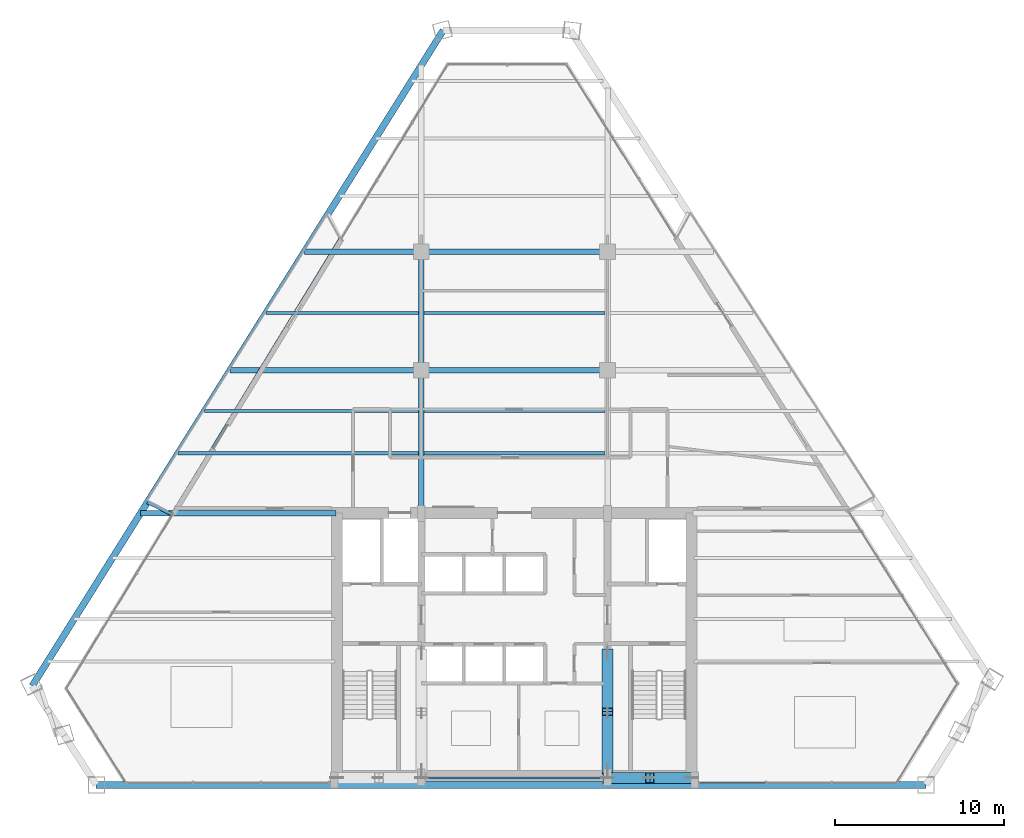
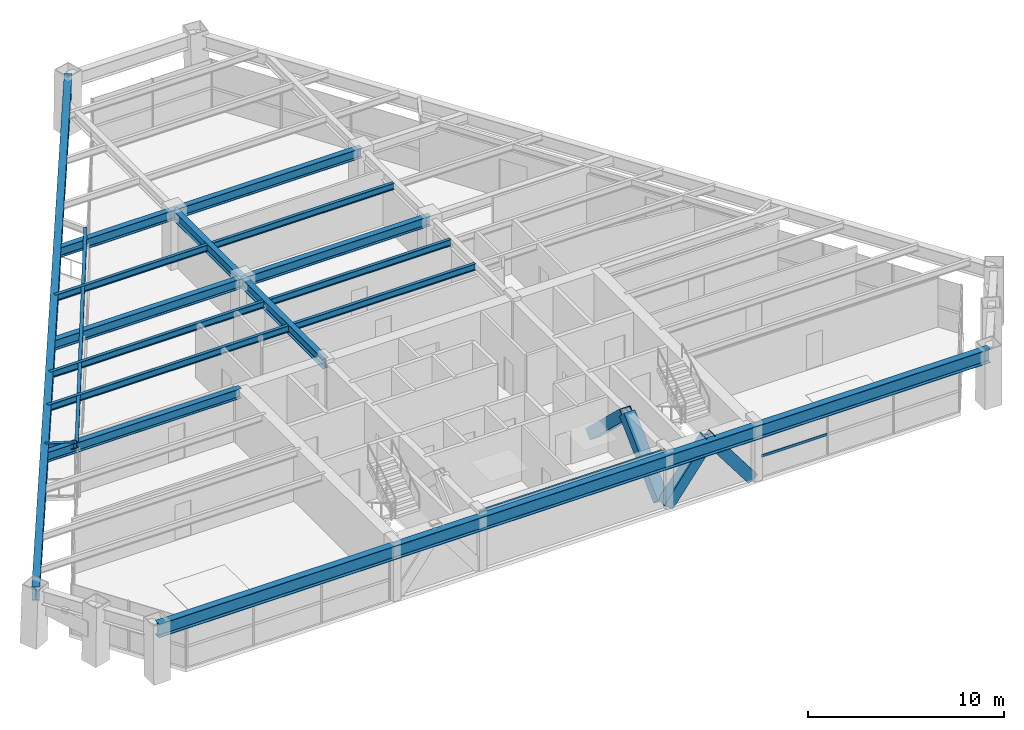
# One storey, part 3 of 13: 18 beams, 5 members, 1 element without a shape of its own.
"""IFC4 building model written with IfcOpenShell, lengths in metres."""

from ifc_helpers import new_model, si_unit, direction, frame, origin, origin_2d, place, context, subcontext, project, spatial, rectangle, hollow_rectangle, i_section, extrude, source, transform, mapped, material, material_profile, profile_set, type_object, type_shapes, element, aggregate, save


model = new_model("IFC4")

# Units and contexts
model_context = context("Model", 3, precision=1e-05, world=origin(), true_north=direction((0.0, 1.0)))
body_context = subcontext(model_context, "Body", "Model", "MODEL_VIEW")
ifc_project = project(units=[si_unit("LENGTHUNIT", "METRE"), si_unit("AREAUNIT", "SQUARE_METRE"), si_unit("VOLUMEUNIT", "CUBIC_METRE"), si_unit("PLANEANGLEUNIT", "RADIAN"), si_unit("MASSUNIT", "GRAM", prefix="KILO")], contexts=[model_context])

# Site, building, storey
site_placement = place(None, origin())
site = spatial("IfcSite", under=ifc_project, at=site_placement, CompositionType="ELEMENT")
building_placement = place(site_placement, origin())
building = spatial("IfcBuilding", under=site, at=building_placement, Name="Varnakhor Terracotta Tower", CompositionType="ELEMENT")
storey_placement = place(building_placement, frame((0.0, 0.0, 200.60009765625)))
storey = spatial("IfcBuildingStorey", under=building, at=storey_placement, Name="L51", CompositionType="ELEMENT", Elevation=200.60009765625)

# Beams
ifc_material_1 = material(Name="Steel S355", Category="steel")
ifc_material_profile_1 = material_profile(ifc_material_1, i_section(OverallWidth=0.1201171875, OverallDepth=0.239990234375, WebThickness=0.006103515625, FlangeThickness=0.009765625, FilletRadius=0.01806640625, at=origin_2d()), Name="IPE240")
ifc_profile_set_1 = profile_set([ifc_material_profile_1], Name="Steel S355")
beam_type_1 = type_object("IfcBeamType", Name="LNT-IPE240", PredefinedType="LINTEL", material=ifc_profile_set_1)
shared_shape_1 = source(origin(), body_context, "Body", "SweptSolid", [
    extrude(i_section(OverallWidth=0.1201171875, OverallDepth=0.239990234375, WebThickness=0.006103515625, FlangeThickness=0.009765625, FilletRadius=0.01806640625, at=origin_2d()), origin(), (0.0, 0.0, 1.0), 11.0),
])
type_shapes(beam_type_1, [shared_shape_1])
beam_1_placement = place(storey_placement, frame((-5.5, 0.419921875, 3.349853515625), z_axis=(1.0, 0.0, 0.0), x_axis=(0.0, 1.0, 0.0)))
element("IfcBeam", 1, at=beam_1_placement, inside=storey, type_object=beam_type_1, Name="L51 Core South Coupling Lintel", PredefinedType="LINTEL", context=body_context, shape_type="MappedRepresentation", body=[
    mapped(shared_shape_1, transform((0.0, 0.0, 0.0), scale=1.0)),
])
ifc_material_profile_2 = material_profile(ifc_material_1, i_section(OverallWidth=0.324951171875, OverallDepth=0.615966796875, WebThickness=0.013916015625, FlangeThickness=0.02197265625, FilletRadius=0.01806640625, at=origin_2d()), Name="W24X117")
ifc_profile_set_2 = profile_set([ifc_material_profile_2], Name="Steel S355")
beam_type_2 = type_object("IfcBeamType", Name="BM-W24X117", PredefinedType="BEAM", material=ifc_profile_set_2)
shared_shape_2 = source(origin(), body_context, "Body", "SweptSolid", [
    extrude(i_section(OverallWidth=0.324951171875, OverallDepth=0.615966796875, WebThickness=0.013916015625, FlangeThickness=0.02197265625, FilletRadius=0.01806640625, at=origin_2d()), origin(), (0.0, 0.0, 1.0), 8.449951171875),
])
type_shapes(beam_type_2, [shared_shape_2])
beam_2_placement = place(storey_placement, frame((-5.5, 16.050048828125, 3.161865234375), z_axis=(0.0, 1.0, 0.0), x_axis=(-1.0, 0.0, 0.0)))
element("IfcBeam", 2, at=beam_2_placement, inside=storey, type_object=beam_type_2, Name="L51 Primary Girder NS1-W", PredefinedType="BEAM", context=body_context, shape_type="MappedRepresentation", body=[
    mapped(shared_shape_2, transform((0.0, 0.0, 0.0), scale=1.0)),
])
shared_shape_3 = source(origin(), body_context, "Body", "SweptSolid", [
    extrude(i_section(OverallWidth=0.324951171875, OverallDepth=0.615966796875, WebThickness=0.013916015625, FlangeThickness=0.02197265625, FilletRadius=0.01806640625, at=origin_2d()), origin(), (0.0, 0.0, 1.0), 7.0),
])
beam_3_placement = place(storey_placement, frame((-5.5, 24.5, 3.161865234375), z_axis=(0.0, 1.0, 0.0), x_axis=(-1.0, 0.0, 0.0)))
element("IfcBeam", 3, at=beam_3_placement, inside=storey, type_object=beam_type_2, Name="L51 Primary Girder NS2-W", PredefinedType="BEAM", context=body_context, shape_type="MappedRepresentation", body=[
    mapped(shared_shape_3, transform((0.0, 0.0, 0.0), scale=1.0)),
])
shared_shape_4 = source(origin(), body_context, "Body", "SweptSolid", [
    extrude(i_section(OverallWidth=0.324951171875, OverallDepth=0.615966796875, WebThickness=0.013916015625, FlangeThickness=0.02197265625, FilletRadius=0.01806640625, at=origin_2d()), origin(), (0.0, 0.0, 1.0), 11.0),
])
for number, where, z_axis, x_axis, name in (
    (4, (-5.5, 24.5, 3.161865234375), (1.0, 0.0, 0.0), (0.0, 1.0, 0.0), "L51 Primary Girder EW2-2"),
    (5, (-5.5, 31.5, 3.161865234375), (1.0, 0.0, 0.0), (0.0, 1.0, 0.0), "L51 Primary Girder EW3-2"),
):
    element("IfcBeam", number, at=place(storey_placement, frame(where, z_axis=z_axis, x_axis=x_axis)), inside=storey, type_object=beam_type_2, Name=name, PredefinedType="BEAM", context=body_context, shape_type="MappedRepresentation", body=[
        mapped(shared_shape_4, transform((0.0, 0.0, 0.0), scale=1.0)),
    ])
ifc_material_profile_3 = material_profile(ifc_material_1, i_section(OverallWidth=0.179931640625, OverallDepth=0.4130859375, WebThickness=0.009765625, FlangeThickness=0.01611328125, FilletRadius=0.01806640625, at=origin_2d()), Name="W16X50")
ifc_profile_set_3 = profile_set([ifc_material_profile_3], Name="Steel S355")
beam_type_3 = type_object("IfcBeamType", Name="JST-W16X50", PredefinedType="JOIST", material=ifc_profile_set_3)
shared_shape_5 = source(origin(), body_context, "Body", "SweptSolid", [
    extrude(i_section(OverallWidth=0.179931640625, OverallDepth=0.4130859375, WebThickness=0.009765625, FlangeThickness=0.01611328125, FilletRadius=0.01806640625, at=origin_2d()), origin(), (0.0, 0.0, 1.0), 10.68310546875),
])
for number, where, z_axis, x_axis, name in (
    (6, (-5.341552734375, 19.60009765625, 3.263427734375), (1.0, 0.0, 0.0), (0.0, 1.0, 0.0), "L51 Composite Floor Joist 4-2"),
    (7, (-5.341552734375, 22.10009765625, 3.263427734375), (1.0, 0.0, 0.0), (0.0, 1.0, 0.0), "L51 Composite Floor Joist 5-2"),
    (8, (-5.341552734375, 27.89990234375, 3.263427734375), (1.0, 0.0, 0.0), (0.0, 1.0, 0.0), "L51 Composite Floor Joist 6-2"),
):
    element("IfcBeam", number, at=place(storey_placement, frame(where, z_axis=z_axis, x_axis=x_axis)), inside=storey, type_object=beam_type_3, Name=name, PredefinedType="JOIST", context=body_context, shape_type="MappedRepresentation", body=[
        mapped(shared_shape_5, transform((0.0, 0.0, 0.0), scale=1.0)),
    ])

# Members
ifc_material_2 = material(Name="Steel S460", Category="steel")
ifc_material_profile_4 = material_profile(ifc_material_2, hollow_rectangle(XDim=0.64990234375, YDim=0.64990234375, WallThickness=0.0400390625, at=origin_2d()), Name="HSS650X650X40")
ifc_profile_set_4 = profile_set([ifc_material_profile_4], Name="Steel S460")
member_type_1 = type_object("IfcMemberType", Name="MBR-MEGA-650", PredefinedType="BRACE", material=ifc_profile_set_4)
shared_shape_6 = source(origin(), body_context, "Body", "SweptSolid", [
    extrude(hollow_rectangle(XDim=0.64990234375, YDim=0.64990234375, WallThickness=0.0400390625, at=origin_2d()), origin(), (0.0, 0.0, 1.0), 4.15576171875),
])
for number, where, z_axis, x_axis, name in (
    (9, (5.5, 0.419921875, 0.0), (0.601559152872, 0.0, 0.798828257886), (0.0, 1.0, 0.0), "L51 Core Coupled Brace CSEA"),
    (10, (10.5, 0.419921875, 0.0), (-0.601559152872, 0.0, 0.798828257886), (0.0, -1.0, 0.0), "L51 Core Coupled Brace CSEB"),
):
    element("IfcMember", number, at=place(storey_placement, frame(where, z_axis=z_axis, x_axis=x_axis)), inside=storey, type_object=member_type_1, Name=name, PredefinedType="BRACE", context=body_context, shape_type="MappedRepresentation", body=[
        mapped(shared_shape_6, transform((0.0, 0.0, 0.0), scale=1.0)),
    ])
shared_shape_7 = source(origin(), body_context, "Body", "SweptSolid", [
    extrude(hollow_rectangle(XDim=0.64990234375, YDim=0.64990234375, WallThickness=0.0400390625, at=origin_2d()), origin(), (0.0, 0.0, 1.0), 4.805908203125),
])
for number, where, z_axis, x_axis, name in (
    (11, (5.5, 0.85009765625, 0.0), (0.0, 0.72305215055, 0.690793447845), (-1.0, 0.0, 0.0), "L51 Core Coupled Brace CWEA"),
    (12, (5.5, 7.800048828125, 0.0), (0.0, -0.723076391278, 0.690768074231), (1.0, 0.0, 0.0), "L51 Core Coupled Brace CWEB"),
):
    element("IfcMember", number, at=place(storey_placement, frame(where, z_axis=z_axis, x_axis=x_axis)), inside=storey, type_object=member_type_1, Name=name, PredefinedType="BRACE", context=body_context, shape_type="MappedRepresentation", body=[
        mapped(shared_shape_7, transform((0.0, 0.0, 0.0), scale=1.0)),
    ])

# Beams
ifc_material_profile_5 = material_profile(ifc_material_1, i_section(OverallWidth=0.39990234375, OverallDepth=0.85498046875, WebThickness=0.01806640625, FlangeThickness=0.029052734375, FilletRadius=0.01806640625, at=origin_2d()), Name="W33X201")
ifc_profile_set_5 = profile_set([ifc_material_profile_5], Name="Steel S355")
beam_type_4 = type_object("IfcBeamType", Name="BM-W33X201", PredefinedType="BEAM", material=ifc_profile_set_5)
shared_shape_8 = source(origin(), body_context, "Body", "SweptSolid", [
    extrude(i_section(OverallWidth=0.39990234375, OverallDepth=0.85498046875, WebThickness=0.01806640625, FlangeThickness=0.029052734375, FilletRadius=0.01806640625, at=origin_2d()), origin(), (0.0, 0.0, 1.0), 49.0439453125),
])
beam_4_placement = place(storey_placement, frame((-24.717529296875, 0.0, 3.04248046875), z_axis=(1.0, 0.0, 0.0), x_axis=(0.0, 1.0, 0.0)))
element("IfcBeam", 13, at=beam_4_placement, inside=storey, type_object=beam_type_4, Name="L51 Perimeter Spandrel 1", PredefinedType="BEAM", context=body_context, shape_type="MappedRepresentation", body=[
    mapped(shared_shape_8, transform((0.0, 0.0, 0.0), scale=1.0)),
])
shared_shape_9 = source(origin(), body_context, "Body", "SweptSolid", [
    extrude(i_section(OverallWidth=0.39990234375, OverallDepth=0.85498046875, WebThickness=0.01806640625, FlangeThickness=0.029052734375, FilletRadius=0.01806640625, at=origin_2d()), origin(), (0.0, 0.0, 1.0), 45.7353515625),
])
beam_5_placement = place(storey_placement, frame((-4.20947265625, 44.593994140625, 3.04248046875), z_axis=(-0.531116486136, -0.847298812789, 0.0), x_axis=(0.847298812789, -0.531116486136, 0.0)))
element("IfcBeam", 14, at=beam_5_placement, inside=storey, type_object=beam_type_4, Name="L51 Perimeter Spandrel 6", PredefinedType="BEAM", context=body_context, shape_type="MappedRepresentation", body=[
    mapped(shared_shape_9, transform((0.0, 0.0, 0.0), scale=1.0)),
])
ifc_material_profile_6 = material_profile(ifc_material_1, i_section(OverallWidth=0.179931640625, OverallDepth=0.39990234375, WebThickness=0.008544921875, FlangeThickness=0.013427734375, FilletRadius=0.01806640625, at=origin_2d()), Name="IPE400")
ifc_profile_set_6 = profile_set([ifc_material_profile_6], Name="Steel S355")
beam_type_5 = type_object("IfcBeamType", Name="JST-IPE400", PredefinedType="JOIST", material=ifc_profile_set_6)
shared_shape_10 = source(origin(), body_context, "Body", "SweptSolid", [
    extrude(i_section(OverallWidth=0.179931640625, OverallDepth=0.39990234375, WebThickness=0.008544921875, FlangeThickness=0.013427734375, FilletRadius=0.01806640625, at=origin_2d()), origin(), (0.0, 0.0, 1.0), 19.115234375),
])
beam_6_placement = place(storey_placement, frame((-10.281494140625, 32.306396484375, 3.27001953125), z_axis=(-0.520259714572, -0.854008096796, 0.0), x_axis=(0.854008096796, -0.520259714572, 0.0)))
element("IfcBeam", 15, at=beam_6_placement, inside=storey, type_object=beam_type_5, Name="L51 Loggia Edge Beam 2", PredefinedType="JOIST", context=body_context, shape_type="MappedRepresentation", body=[
    mapped(shared_shape_10, transform((0.0, 0.0, 0.0), scale=1.0)),
])
shared_shape_11 = source(origin(), body_context, "Body", "SweptSolid", [
    extrude(i_section(OverallWidth=0.324951171875, OverallDepth=0.615966796875, WebThickness=0.013916015625, FlangeThickness=0.02197265625, FilletRadius=0.01806640625, at=origin_2d()), origin(), (0.0, 0.0, 1.0), 11.5517578125),
])
beam_7_placement = place(storey_placement, frame((-22.101806640625, 16.050048828125, 3.161865234375), z_axis=(1.0, 0.0, 0.0), x_axis=(0.0, 1.0, 0.0)))
element("IfcBeam", 16, at=beam_7_placement, inside=storey, type_object=beam_type_2, Name="L51 Wing Girder W", PredefinedType="BEAM", context=body_context, shape_type="MappedRepresentation", body=[
    mapped(shared_shape_11, transform((0.0, 0.0, 0.0), scale=1.0)),
])
shared_shape_12 = source(origin(), body_context, "Body", "SweptSolid", [
    extrude(i_section(OverallWidth=0.324951171875, OverallDepth=0.615966796875, WebThickness=0.013916015625, FlangeThickness=0.02197265625, FilletRadius=0.01806640625, at=origin_2d()), origin(), (0.0, 0.0, 1.0), 11.304931640625),
])
beam_8_placement = place(storey_placement, frame((-16.804931640625, 24.5, 3.161865234375), z_axis=(1.0, 0.0, 0.0), x_axis=(0.0, 1.0, 0.0)))
element("IfcBeam", 17, at=beam_8_placement, inside=storey, type_object=beam_type_2, Name="L51 Primary Girder EW2-1", PredefinedType="BEAM", context=body_context, shape_type="MappedRepresentation", body=[
    mapped(shared_shape_12, transform((0.0, 0.0, 0.0), scale=1.0)),
])
shared_shape_13 = source(origin(), body_context, "Body", "SweptSolid", [
    extrude(i_section(OverallWidth=0.324951171875, OverallDepth=0.615966796875, WebThickness=0.013916015625, FlangeThickness=0.02197265625, FilletRadius=0.01806640625, at=origin_2d()), origin(), (0.0, 0.0, 1.0), 6.917236328125),
])
beam_9_placement = place(storey_placement, frame((-12.417236328125, 31.5, 3.161865234375), z_axis=(1.0, 0.0, 0.0), x_axis=(0.0, 1.0, 0.0)))
element("IfcBeam", 18, at=beam_9_placement, inside=storey, type_object=beam_type_2, Name="L51 Primary Girder EW3-1", PredefinedType="BEAM", context=body_context, shape_type="MappedRepresentation", body=[
    mapped(shared_shape_13, transform((0.0, 0.0, 0.0), scale=1.0)),
])
shared_shape_14 = source(origin(), body_context, "Body", "SweptSolid", [
    extrude(i_section(OverallWidth=0.179931640625, OverallDepth=0.4130859375, WebThickness=0.009765625, FlangeThickness=0.01611328125, FilletRadius=0.01806640625, at=origin_2d()), origin(), (0.0, 0.0, 1.0), 14.218017578125),
])
beam_10_placement = place(storey_placement, frame((-19.87646484375, 19.60009765625, 3.263427734375), z_axis=(1.0, 0.0, 0.0), x_axis=(0.0, 1.0, 0.0)))
element("IfcBeam", 19, at=beam_10_placement, inside=storey, type_object=beam_type_3, Name="L51 Composite Floor Joist 4-1", PredefinedType="JOIST", context=body_context, shape_type="MappedRepresentation", body=[
    mapped(shared_shape_14, transform((0.0, 0.0, 0.0), scale=1.0)),
])
shared_shape_15 = source(origin(), body_context, "Body", "SweptSolid", [
    extrude(i_section(OverallWidth=0.179931640625, OverallDepth=0.4130859375, WebThickness=0.009765625, FlangeThickness=0.01611328125, FilletRadius=0.01806640625, at=origin_2d()), origin(), (0.0, 0.0, 1.0), 12.65087890625),
])
beam_11_placement = place(storey_placement, frame((-18.309326171875, 22.10009765625, 3.263427734375), z_axis=(1.0, 0.0, 0.0), x_axis=(0.0, 1.0, 0.0)))
element("IfcBeam", 20, at=beam_11_placement, inside=storey, type_object=beam_type_3, Name="L51 Composite Floor Joist 5-1", PredefinedType="JOIST", context=body_context, shape_type="MappedRepresentation", body=[
    mapped(shared_shape_15, transform((0.0, 0.0, 0.0), scale=1.0)),
])
shared_shape_16 = source(origin(), body_context, "Body", "SweptSolid", [
    extrude(i_section(OverallWidth=0.179931640625, OverallDepth=0.4130859375, WebThickness=0.009765625, FlangeThickness=0.01611328125, FilletRadius=0.01806640625, at=origin_2d()), origin(), (0.0, 0.0, 1.0), 9.015380859375),
])
beam_12_placement = place(storey_placement, frame((-14.673828125, 27.89990234375, 3.263427734375), z_axis=(1.0, 0.0, 0.0), x_axis=(0.0, 1.0, 0.0)))
element("IfcBeam", 21, at=beam_12_placement, inside=storey, type_object=beam_type_3, Name="L51 Composite Floor Joist 6-1", PredefinedType="JOIST", context=body_context, shape_type="MappedRepresentation", body=[
    mapped(shared_shape_16, transform((0.0, 0.0, 0.0), scale=1.0)),
])

# Curtain wall, member
ifc_material_3 = material(Name="Anodised Aluminium Curtain Wall System", Category="aluminium")
curtain_wall_type = type_object("IfcCurtainWallType", Name="CW-SYS-MID-OFFICE", PredefinedType="NOTDEFINED", material=ifc_material_3)
curtain_wall_placement = place(storey_placement, origin())
curtain_wall = element("IfcCurtainWall", 22, at=curtain_wall_placement, inside=storey, type_object=curtain_wall_type, Name="L51 South Wing Curtain Wall SSE", PredefinedType="NOTDEFINED")
ifc_material_4 = material(Name="Anodised Aluminium 6063-T6", Category="aluminium")
ifc_material_profile_7 = material_profile(ifc_material_4, rectangle(XDim=0.070068359375, YDim=0.155029296875, at=origin_2d()), Name="ALU TRANSOM 70x155")
ifc_profile_set_7 = profile_set([ifc_material_profile_7], Name="Anodised Aluminium 6063-T6")
member_type_2 = type_object("IfcMemberType", Name="CWT-03", PredefinedType="USERDEFINED", material=ifc_profile_set_7)
shared_shape_17 = source(origin(), body_context, "Body", "SweptSolid", [
    extrude(rectangle(XDim=0.070068359375, YDim=0.155029296875, at=origin_2d()), origin(), (0.0, 0.0, 1.0), 3.8916015625),
])
member_placement = place(storey_placement, frame((14.861572265625, 0.1201171875, 1.281005859375), z_axis=(-1.0, 0.0, 0.0), x_axis=(0.0, -1.0, 0.0)))
member = element("IfcMember", 23, at=member_placement, type_object=member_type_2, Name="L51 South Wing Curtain Wall SSE Transom 3", ObjectType="TRANSOM", PredefinedType="USERDEFINED", context=body_context, shape_type="MappedRepresentation", body=[
    mapped(shared_shape_17, transform((0.0, 0.0, 0.0), scale=1.0)),
])
aggregate(curtain_wall, [member])

# Beam
shared_shape_18 = source(origin(), body_context, "Body", "SweptSolid", [
    extrude(i_section(OverallWidth=0.179931640625, OverallDepth=0.39990234375, WebThickness=0.008544921875, FlangeThickness=0.013427734375, FilletRadius=0.01806640625, at=origin_2d()), origin(), (0.0, 0.0, 1.0), 1.635009765625),
])
beam_13_placement = place(storey_placement, frame((-20.226318359375, 15.98193359375, 3.27001953125), z_axis=(-0.900523412779, 0.434807524127, 0.0), x_axis=(-0.434807524127, -0.900523412779, 0.0)))
element("IfcBeam", 24, at=beam_13_placement, inside=storey, type_object=beam_type_5, Name="L52 W Loggia Tie Beam 1", PredefinedType="JOIST", context=body_context, shape_type="MappedRepresentation", body=[
    mapped(shared_shape_18, transform((0.0, 0.0, 0.0), scale=1.0)),
])

save(model, "model.ifc")
